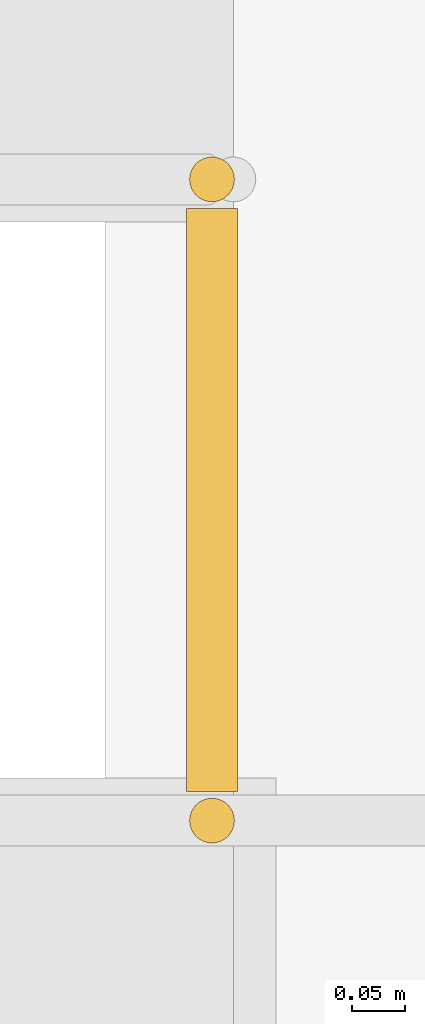
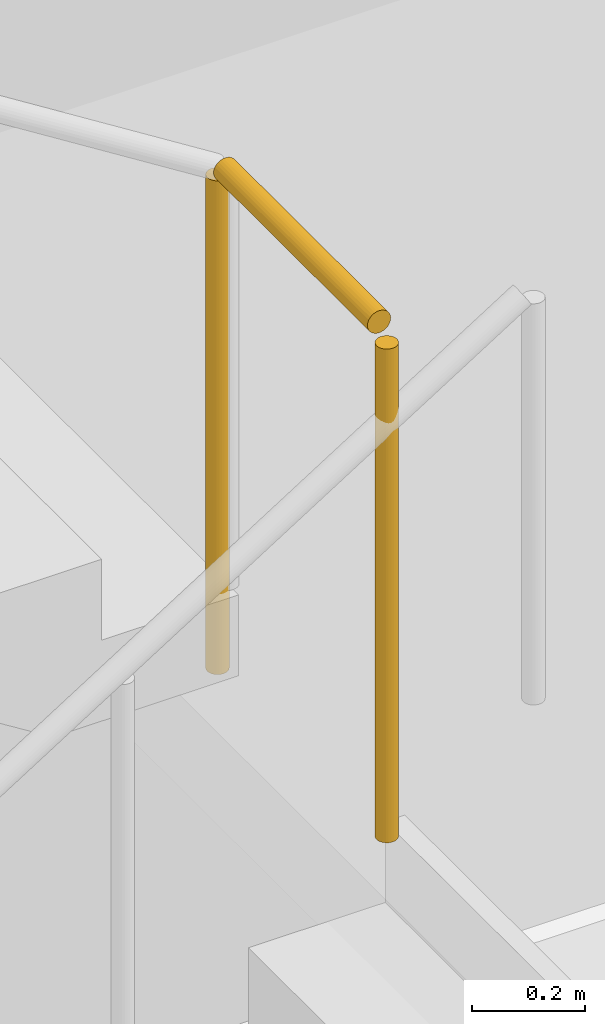
# One storey, part 110 of 114: 1 railing.
"""IFC4 building model written with IfcOpenShell, lengths in metres."""

from ifc_helpers import new_model, si_unit, direction, frame, origin, origin_2d, place, context, subcontext, project, spatial, circle, extrude, material, type_object, element, save


model = new_model("IFC4")

# Units and contexts
model_context = context("Model", 3, precision=1e-05, world=origin(), true_north=direction((0.0, 1.0)))
body_context = subcontext(model_context, "Body", "Model", "MODEL_VIEW")
ifc_project = project(units=[si_unit("LENGTHUNIT", "METRE"), si_unit("AREAUNIT", "SQUARE_METRE"), si_unit("VOLUMEUNIT", "CUBIC_METRE"), si_unit("PLANEANGLEUNIT", "RADIAN"), si_unit("MASSUNIT", "GRAM", prefix="KILO"), si_unit("THERMODYNAMICTEMPERATUREUNIT", "KELVIN"), si_unit("POWERUNIT", "WATT")], contexts=[model_context])

# Site, building, storey
site_placement = place(None, origin())
site = spatial("IfcSite", under=ifc_project, at=site_placement, CompositionType="ELEMENT")
building_placement = place(site_placement, origin())
building = spatial("IfcBuilding", under=site, at=building_placement, Name="Darbajah Civic Hall", CompositionType="ELEMENT")
storey_placement = place(building_placement, frame((0.0, 0.0, 13.800048828125)))
storey = spatial("IfcBuildingStorey", under=building, at=storey_placement, Name="L03", CompositionType="ELEMENT", Elevation=13.800048828125)

# Railing
ifc_material = material(Name="Brushed Bronze and Laminated Safety Glass", Category="glass")
railing_type = type_object("IfcRailingType", Name="Interior Guard Balustrade", PredefinedType="BALUSTRADE", material=ifc_material)
railing_placement = place(storey_placement, frame((82.5400390625, 64.39990234375, 2.099853515625)))
element("IfcRailing", 1, at=railing_placement, inside=storey, type_object=railing_type, Name="ST03 L03 landing well guard", PredefinedType="BALUSTRADE", context=body_context, shape_type="SweptSolid", body=[
    extrude(circle(Radius=0.02392578125, at=origin_2d()), frame((0.0, 0.02734375, 1.09619140625), z_axis=(0.0, 1.0, 0.0), x_axis=(-1.0, 0.0, 0.0)), (0.0, 0.0, 1.0), 0.54541015625),
    extrude(circle(Radius=0.02099609375, at=origin_2d()), origin(), (0.0, 0.0, 1.0), 1.068115234375),
    extrude(circle(Radius=0.02099609375, at=origin_2d()), frame((0.0, 0.60009765625, 0.0)), (0.0, 0.0, 1.0), 1.068115234375),
])

save(model, "model.ifc")
